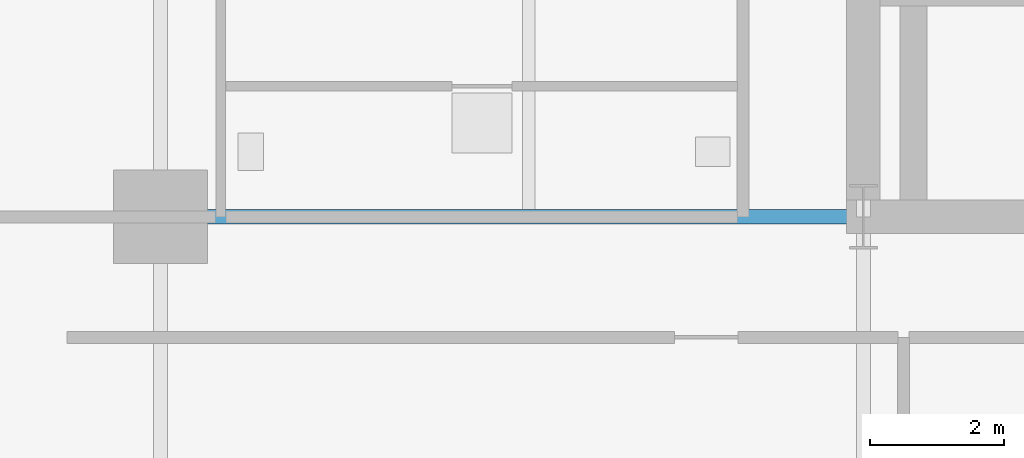
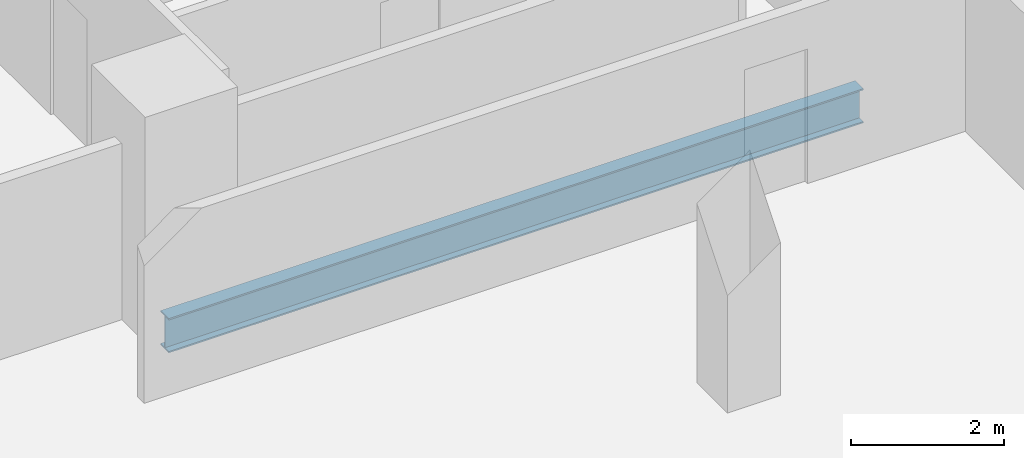
# One storey, part 7 of 27: 1 beam.
"""IFC4 building model written with IfcOpenShell, lengths in metres."""

from ifc_helpers import new_model, si_unit, direction, frame, origin, origin_2d, place, context, subcontext, project, spatial, i_section, extrude, material, material_profile, profile_set, type_object, element, save


model = new_model("IFC4")

# Units and contexts
model_context = context("Model", 3, precision=1e-05, world=origin(), true_north=direction((0.0, 1.0)))
body_context = subcontext(model_context, "Body", "Model", "MODEL_VIEW")
ifc_project = project(units=[si_unit("LENGTHUNIT", "METRE"), si_unit("AREAUNIT", "SQUARE_METRE"), si_unit("VOLUMEUNIT", "CUBIC_METRE"), si_unit("PLANEANGLEUNIT", "RADIAN"), si_unit("MASSUNIT", "GRAM", prefix="KILO")], contexts=[model_context])

# Site, building, storey
site_placement = place(None, origin())
site = spatial("IfcSite", under=ifc_project, at=site_placement, CompositionType="ELEMENT")
building_placement = place(site_placement, origin())
building = spatial("IfcBuilding", under=site, at=building_placement, Name="Barlavira Tower and Art Museum", CompositionType="ELEMENT")
storey_placement = place(building_placement, frame((0.0, 0.0, 61.199951171875)))
storey = spatial("IfcBuildingStorey", under=building, at=storey_placement, Name="L14", CompositionType="ELEMENT", Elevation=61.199951171875)

# Beam
ifc_material = material(Name="Steel S355", Category="steel")
ifc_material_profile = material_profile(ifc_material, i_section(OverallWidth=0.214111328125, OverallDepth=0.549072265625, WebThickness=0.0146484375, FlangeThickness=0.023681640625, at=origin_2d()), Name="W530x138.0")
ifc_profile_set = profile_set([ifc_material_profile], Name="Steel S355")
beam_type = type_object("IfcBeamType", Name="Zone 1 Primary Floor Girder W530x138 Steel S355", PredefinedType="BEAM", material=ifc_profile_set)
beam_placement = place(storey_placement, frame((-17.0, -7.5, -0.494384765625), z_axis=(1.0, 0.0, 0.0), x_axis=(0.0, 1.0, 0.0)))
element("IfcBeam", 1, at=beam_placement, inside=storey, type_object=beam_type, Name="L14 Girder R-W1", PredefinedType="BEAM", context=body_context, shape_type="SweptSolid", body=[
    extrude(i_section(OverallWidth=0.214111328125, OverallDepth=0.549072265625, WebThickness=0.0146484375, FlangeThickness=0.023681640625, at=origin_2d()), origin(), (0.0, 0.0, 1.0), 10.5),
])

save(model, "model.ifc")
